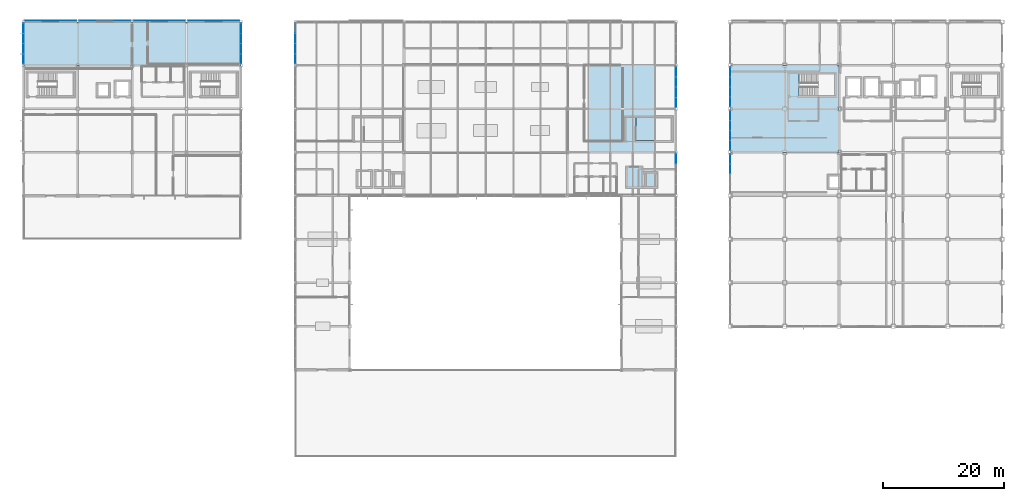
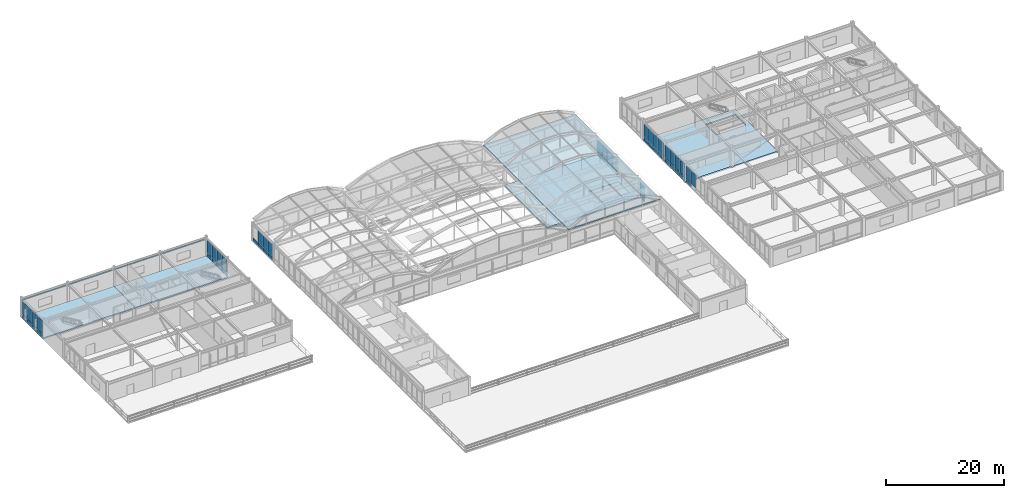
# One storey, part 81 of 106: 56 plates, 5 slabs, 8 elements without a shape of their own.
"""IFC4 building model written with IfcOpenShell, lengths in metres."""

import ifcopenshell
import ifcopenshell.guid

model = None  # the IFC model being written
_history = None  # IfcOwnerHistory: only IFC2X3 demands one
_inside = {}  # id of a spatial element -> (the spatial element, [elements in it])
_under = {}  # id of a project, library or spatial element -> (it, [spatial elements below it])
_declared = {}  # id of a project -> (the project, [libraries it declares])
_typed = {}  # id of a type object -> (the type object, [elements of that type])
_made_of = {}  # id of a material, layer set ... -> (it, [elements and type objects made of it])


def new_model(schema):
    """Start an empty IFC model of exactly this schema.

    Asked for "IFC4X3", IfcOpenShell would pick the latest addendum, in which some entities
    have other attributes; the version numbers below select the first issue.
    IFC2X3 requires an IfcOwnerHistory on every rooted entity: one is made here for all.
    """
    global model, _history
    if schema == "IFC4X3":
        model = ifcopenshell.file(schema_version=(4, 3, 0, 0))
    else:
        model = ifcopenshell.file(schema=schema)
    _inside.clear()
    _under.clear()
    _declared.clear()
    _typed.clear()
    _made_of.clear()
    _history = None
    if model.schema == "IFC2X3":
        org = make("IfcOrganization", Name="unknown")
        user = make(
            "IfcPersonAndOrganization",
            ThePerson=make("IfcPerson", FamilyName="unknown"),
            TheOrganization=org,
        )
        app = make(
            "IfcApplication",
            ApplicationDeveloper=org,
            Version="unknown",
            ApplicationFullName="unknown",
            ApplicationIdentifier="unknown",
        )
        _history = make(
            "IfcOwnerHistory",
            OwningUser=user,
            OwningApplication=app,
            ChangeAction="ADDED",
            CreationDate=0,
        )
    return model


def make(cls, **values):
    """One entity of the class cls with the attributes given. An attribute that is None is left unset."""
    return model.create_entity(
        cls, **{name: value for name, value in values.items() if value is not None}
    )


def rooted(cls, **values):
    """An entity with a GlobalId (a new one), such as an element, a storey or a relation."""
    return make(cls, GlobalId=ifcopenshell.guid.new(), OwnerHistory=_history, **values)


def si_unit(unit_type, name, prefix=None):
    """IfcSIUnit, for example si_unit("LENGTHUNIT", "METRE", prefix="MILLI")."""
    return make("IfcSIUnit", UnitType=unit_type, Prefix=prefix, Name=name)


def assignment(units):
    """IfcUnitAssignment: the units of a project."""
    return None if units is None else make("IfcUnitAssignment", Units=units)


def point(xyz):
    """IfcCartesianPoint."""
    return None if xyz is None else make("IfcCartesianPoint", Coordinates=xyz)


def direction(xyz):
    """IfcDirection."""
    return None if xyz is None else make("IfcDirection", DirectionRatios=xyz)


def frame(location, z_axis=None, x_axis=None):
    """IfcAxis2Placement3D, a coordinate frame: its origin and axes. An axis left out is left unset."""
    return make(
        "IfcAxis2Placement3D",
        Location=point(location),
        Axis=direction(z_axis),
        RefDirection=direction(x_axis),
    )


def frame_2d(location, x_axis=None):
    """IfcAxis2Placement2D, a coordinate frame in the plane: its origin and x axis."""
    return make(
        "IfcAxis2Placement2D", Location=point(location), RefDirection=direction(x_axis)
    )


def origin():
    """The frame at (0, 0, 0) with its axes left unset."""
    return frame((0.0, 0.0, 0.0))


def origin_2d():
    """The frame at (0, 0) in the plane with its x axis left unset."""
    return frame_2d((0.0, 0.0))


def place(relative_to, where):
    """IfcLocalPlacement: puts the frame where relative to a parent placement (None: the world)."""
    return make(
        "IfcLocalPlacement", PlacementRelTo=relative_to, RelativePlacement=where
    )


def context(
    kind, dimensions, precision=None, world=None, true_north=None, identifier=None
):
    """IfcGeometricRepresentationContext, for example the 3D "Model" context."""
    return make(
        "IfcGeometricRepresentationContext",
        ContextIdentifier=identifier,
        ContextType=kind,
        CoordinateSpaceDimension=dimensions,
        Precision=precision,
        WorldCoordinateSystem=world,
        TrueNorth=true_north,
    )


def subcontext(parent, identifier, kind, view, scale=None):
    """IfcGeometricRepresentationSubContext, for example "Body" below "Model"."""
    return make(
        "IfcGeometricRepresentationSubContext",
        ContextIdentifier=identifier,
        ContextType=kind,
        ParentContext=parent,
        TargetScale=scale,
        TargetView=view,
    )


def project(units=None, contexts=None):
    """IfcProject with its units and contexts."""
    return rooted(
        "IfcProject",
        Name="project",
        RepresentationContexts=contexts,
        UnitsInContext=assignment(units),
    )


def spatial(cls, under=None, at=None, **own):
    """A site, building, storey or space (cls), placed at a placement, below another one or the project."""
    s = rooted(cls, ObjectPlacement=at, **own)
    if under is not None:
        _under.setdefault(under.id(), (under, []))[1].append(s)
    return s


def polyline(points):
    """IfcPolyline through the points."""
    return make("IfcPolyline", Points=[point(p) for p in points])


def profile(cls, at=None, kind="AREA", **sizes):
    """A parametric profile (cls). Its sizes go by their IFC names, for example OverallWidth=200.0."""
    return make(cls, ProfileType=kind, Position=at, **sizes)


def rectangle(**sizes):
    """IfcRectangleProfileDef."""
    return profile("IfcRectangleProfileDef", **sizes)


def outline(outer, holes=None, kind="AREA"):
    """IfcArbitraryClosedProfileDef: a profile drawn as a closed curve; with holes, ...WithVoids."""
    if holes is None:
        return make("IfcArbitraryClosedProfileDef", ProfileType=kind, OuterCurve=outer)
    return make(
        "IfcArbitraryProfileDefWithVoids",
        ProfileType=kind,
        OuterCurve=outer,
        InnerCurves=holes,
    )


def extrude(swept, where, along, depth):
    """IfcExtrudedAreaSolid: the profile swept, set in the frame where, extruded along a direction by depth."""
    return make(
        "IfcExtrudedAreaSolid",
        SweptArea=swept,
        Position=where,
        ExtrudedDirection=direction(along),
        Depth=depth,
    )


def shape(context_of_items, identifier, shape_type, items):
    """IfcShapeRepresentation: the items that make up one representation, for example the "Body"."""
    return make(
        "IfcShapeRepresentation",
        ContextOfItems=context_of_items,
        RepresentationIdentifier=identifier,
        RepresentationType=shape_type,
        Items=items,
    )


def material(Name=None, Category=None):
    """IfcMaterial."""
    return make("IfcMaterial", Name=Name, Category=Category)


def layer(
    of_material, thickness, ventilated=None, Name=None, Category=None, Priority=None
):
    """IfcMaterialLayer: one layer of a wall or slab, of a material (None: an air gap)."""
    return make(
        "IfcMaterialLayer",
        Material=of_material,
        LayerThickness=thickness,
        IsVentilated=ventilated,
        Name=Name,
        Category=Category,
        Priority=Priority,
    )


def layer_set(layers, Name=None):
    """IfcMaterialLayerSet."""
    return make("IfcMaterialLayerSet", MaterialLayers=layers, LayerSetName=Name)


def made_of(thing, what):
    """Note that an element or type object is made of a material, layer set ...; save() writes the relation."""
    if what is not None:
        _made_of.setdefault(what.id(), (what, []))[1].append(thing)
    return thing


def type_object(cls, material=None, **own):
    """A type object (cls), such as IfcWallType, which elements share."""
    return made_of(rooted(cls, **own), material)


def element(
    cls,
    number,
    at=None,
    inside=None,
    cuts=None,
    type_object=None,
    material=None,
    context=None,
    identifier="Body",
    shape_type=None,
    held_by="IfcProductDefinitionShape",
    body=None,
    shapes=None,
    **own,
):
    """One element of the class cls, such as IfcWall. Its Tag is "e" and its number.

    at: its placement. inside: the storey or other place that contains it. cuts: it is an
    opening in that element (IfcRelVoidsElement). A single representation is given by context,
    identifier, shape_type and body (its items); several are given by shapes. held_by: the class
    of the entity that holds the representations. save() writes the other relations.
    """
    e = rooted(cls, Tag="e%d" % number, ObjectPlacement=at, **own)
    if body is not None:
        shapes = [shape(context, identifier, shape_type, body)]
    if shapes is not None:
        e.Representation = make(held_by, Representations=shapes)
    if inside is not None:
        _inside.setdefault(inside.id(), (inside, []))[1].append(e)
    if cuts is not None:
        rooted(
            "IfcRelVoidsElement", RelatingBuildingElement=cuts, RelatedOpeningElement=e
        )
    if type_object is not None:
        _typed.setdefault(type_object.id(), (type_object, []))[1].append(e)
    return made_of(e, material)


def aggregate(whole, parts):
    """IfcRelAggregates: a whole, such as a stair, and the parts it consists of."""
    return rooted("IfcRelAggregates", RelatingObject=whole, RelatedObjects=parts)


def save(model, path):
    """Write the relations noted so far, then the file.

    IfcRelAggregates (storeys below a building ...), IfcRelContainedInSpatialStructure (elements
    in a storey), IfcRelDefinesByType, IfcRelAssociatesMaterial and IfcRelDeclares: one each for
    every whole, place, type object, material and project.
    """
    for whole, parts in _under.values():
        aggregate(whole, parts)
    for where, things in _inside.values():
        rooted(
            "IfcRelContainedInSpatialStructure",
            RelatedElements=things,
            RelatingStructure=where,
        )
    for kind, things in _typed.values():
        rooted("IfcRelDefinesByType", RelatedObjects=things, RelatingType=kind)
    for what, things in _made_of.values():
        rooted("IfcRelAssociatesMaterial", RelatedObjects=things, RelatingMaterial=what)
    for by, libraries in _declared.values():
        rooted("IfcRelDeclares", RelatingContext=by, RelatedDefinitions=libraries)
    model.write(path)


model = new_model("IFC4")

# Units and contexts
model_context = context("Model", 3, precision=1e-05, world=origin(), true_north=direction((0.0, 1.0)))
body_context = subcontext(model_context, "Body", "Model", "MODEL_VIEW")
ifc_project = project(units=[si_unit("LENGTHUNIT", "METRE"), si_unit("AREAUNIT", "SQUARE_METRE"), si_unit("VOLUMEUNIT", "CUBIC_METRE"), si_unit("PLANEANGLEUNIT", "RADIAN"), si_unit("MASSUNIT", "GRAM", prefix="KILO")], contexts=[model_context])

# Site, building, storey
site_placement = place(None, origin())
site = spatial("IfcSite", under=ifc_project, at=site_placement, CompositionType="ELEMENT")
building_placement = place(site_placement, origin())
building = spatial("IfcBuilding", under=site, at=building_placement, Name="Kazanami Central Library", CompositionType="ELEMENT")
storey_placement = place(building_placement, frame((0.0, 0.0, 12.800048828125)))
storey = spatial("IfcBuildingStorey", under=building, at=storey_placement, Name="L04", CompositionType="ELEMENT", Elevation=12.800048828125)

# Curtain wall, plates
ifc_material_1 = material(Name="Acid-Etched Low-E Laminated Glass", Category="glass")
curtain_wall_type_1 = type_object("IfcCurtainWallType", Name="CW-6800x3490-M180", PredefinedType="USERDEFINED", material=ifc_material_1)
curtain_wall_1_placement = place(storey_placement, origin())
curtain_wall_1 = element("IfcCurtainWall", 1, at=curtain_wall_1_placement, inside=storey, type_object=curtain_wall_type_1, Name="Unitised Curtain Wall CW-43 L04 W-1-12", ObjectType="UNITISED CURTAIN WALL", PredefinedType="USERDEFINED")
ifc_layer_1 = layer(ifc_material_1, 0.035888671875, Name="Acid-Etched Low-E Laminated Glass")
ifc_layer_set_1 = layer_set([ifc_layer_1], Name="Acid-Etched Low-E Laminated Glass")
plate_type_1 = type_object("IfcPlateType", Name="PLT-CW-P1", PredefinedType="CURTAIN_PANEL", material=ifc_layer_set_1)
plate_1_placement = place(storey_placement, frame((0.0, 87.465087890625, 0.809814453125), z_axis=(0.0, 0.0, 1.0), x_axis=(0.0, 1.0, 0.0)))
plate_1 = element("IfcPlate", 2, at=plate_1_placement, type_object=plate_type_1, Name="CW-43 panel 1.2", PredefinedType="CURTAIN_PANEL", context=body_context, shape_type="SweptSolid", body=[
    extrude(rectangle(XDim=1.610107421875, YDim=0.035888671875, at=origin_2d()), origin(), (0.0, 0.0, 1.0), 2.6201171875),
])
plate_2_placement = place(storey_placement, frame((0.0, 89.14990234375, 0.809814453125), z_axis=(0.0, 0.0, 1.0), x_axis=(0.0, 1.0, 0.0)))
plate_2 = element("IfcPlate", 3, at=plate_2_placement, type_object=plate_type_1, Name="CW-43 panel 2.2", PredefinedType="CURTAIN_PANEL", context=body_context, shape_type="SweptSolid", body=[
    extrude(rectangle(XDim=1.639892578125, YDim=0.035888671875, at=origin_2d()), origin(), (0.0, 0.0, 1.0), 2.6201171875),
])
plate_3_placement = place(storey_placement, frame((0.0, 90.85009765625, 0.809814453125), z_axis=(0.0, 0.0, 1.0), x_axis=(0.0, 1.0, 0.0)))
plate_3 = element("IfcPlate", 4, at=plate_3_placement, type_object=plate_type_1, Name="CW-43 panel 3.2", PredefinedType="CURTAIN_PANEL", context=body_context, shape_type="SweptSolid", body=[
    extrude(rectangle(XDim=1.639892578125, YDim=0.035888671875, at=origin_2d()), origin(), (0.0, 0.0, 1.0), 2.6201171875),
])
plate_4_placement = place(storey_placement, frame((0.0, 92.534912109375, 0.809814453125), z_axis=(0.0, 0.0, 1.0), x_axis=(0.0, 1.0, 0.0)))
plate_4 = element("IfcPlate", 5, at=plate_4_placement, type_object=plate_type_1, Name="CW-43 panel 4.2", PredefinedType="CURTAIN_PANEL", context=body_context, shape_type="SweptSolid", body=[
    extrude(rectangle(XDim=1.610107421875, YDim=0.035888671875, at=origin_2d()), origin(), (0.0, 0.0, 1.0), 2.6201171875),
])

curtain_wall_2_placement = place(storey_placement, origin())
curtain_wall_2 = element("IfcCurtainWall", 6, at=curtain_wall_2_placement, inside=storey, type_object=curtain_wall_type_1, Name="Covered Link Bridge Curtain Wall CW-43 L04 E-5-12", ObjectType="UNITISED CURTAIN WALL", PredefinedType="USERDEFINED")
ifc_material_2 = material(Name="Low-E Insulated Triple Glass", Category="glass")
ifc_layer_2 = layer(ifc_material_2, 0.0400390625, Name="Low-E Insulated Triple Glass")
ifc_layer_set_2 = layer_set([ifc_layer_2], Name="Low-E Insulated Triple Glass")
plate_type_2 = type_object("IfcPlateType", Name="PLT-CW-P3", PredefinedType="CURTAIN_PANEL", material=ifc_layer_set_2)
plate_5_placement = place(storey_placement, frame((36.0, 92.534912109375, 0.809814453125), z_axis=(0.0, 0.0, 1.0), x_axis=(0.0, -1.0, 0.0)))
plate_5 = element("IfcPlate", 7, at=plate_5_placement, type_object=plate_type_2, Name="CW-43 panel 1.2", PredefinedType="CURTAIN_PANEL", context=body_context, shape_type="SweptSolid", body=[
    extrude(rectangle(XDim=1.610107421875, YDim=0.0400390625, at=origin_2d()), origin(), (0.0, 0.0, 1.0), 2.6201171875),
])
plate_6_placement = place(storey_placement, frame((36.0, 90.85009765625, 0.809814453125), z_axis=(0.0, 0.0, 1.0), x_axis=(0.0, -1.0, 0.0)))
plate_6 = element("IfcPlate", 8, at=plate_6_placement, type_object=plate_type_2, Name="CW-43 panel 2.2", PredefinedType="CURTAIN_PANEL", context=body_context, shape_type="SweptSolid", body=[
    extrude(rectangle(XDim=1.639892578125, YDim=0.0400390625, at=origin_2d()), origin(), (0.0, 0.0, 1.0), 2.6201171875),
])
plate_7_placement = place(storey_placement, frame((36.0, 89.14990234375, 0.809814453125), z_axis=(0.0, 0.0, 1.0), x_axis=(0.0, -1.0, 0.0)))
plate_7 = element("IfcPlate", 9, at=plate_7_placement, type_object=plate_type_2, Name="CW-43 panel 3.2", PredefinedType="CURTAIN_PANEL", context=body_context, shape_type="SweptSolid", body=[
    extrude(rectangle(XDim=1.639892578125, YDim=0.0400390625, at=origin_2d()), origin(), (0.0, 0.0, 1.0), 2.6201171875),
])
plate_8_placement = place(storey_placement, frame((36.0, 87.465087890625, 0.809814453125), z_axis=(0.0, 0.0, 1.0), x_axis=(0.0, -1.0, 0.0)))
plate_8 = element("IfcPlate", 10, at=plate_8_placement, type_object=plate_type_2, Name="CW-43 panel 4.2", PredefinedType="CURTAIN_PANEL", context=body_context, shape_type="SweptSolid", body=[
    extrude(rectangle(XDim=1.610107421875, YDim=0.0400390625, at=origin_2d()), origin(), (0.0, 0.0, 1.0), 2.6201171875),
])

curtain_wall_type_2 = type_object("IfcCurtainWallType", Name="CW-6800x3330-M180", PredefinedType="USERDEFINED", material=ifc_material_1)
curtain_wall_3_placement = place(storey_placement, origin())
curtain_wall_3 = element("IfcCurtainWall", 11, at=curtain_wall_3_placement, inside=storey, type_object=curtain_wall_type_2, Name="Covered Link Bridge Curtain Wall CW-44 L04 W-6-12", ObjectType="UNITISED CURTAIN WALL", PredefinedType="USERDEFINED")
plate_9_placement = place(storey_placement, frame((45.0, 87.467529296875, 0.81494140625), z_axis=(0.0, 0.0, 1.0), x_axis=(0.0, 1.0, 0.0)))
plate_9 = element("IfcPlate", 12, at=plate_9_placement, type_object=plate_type_2, Name="CW-44 panel 1.2", PredefinedType="CURTAIN_PANEL", context=body_context, shape_type="SweptSolid", body=[
    extrude(rectangle(XDim=1.594970703125, YDim=0.0400390625, at=origin_2d()), origin(), (0.0, 0.0, 1.0), 2.445068359375),
])
plate_10_placement = place(storey_placement, frame((45.0, 89.14990234375, 0.81494140625), z_axis=(0.0, 0.0, 1.0), x_axis=(0.0, 1.0, 0.0)))
plate_10 = element("IfcPlate", 13, at=plate_10_placement, type_object=plate_type_2, Name="CW-44 panel 2.2", PredefinedType="CURTAIN_PANEL", context=body_context, shape_type="SweptSolid", body=[
    extrude(rectangle(XDim=1.6298828125, YDim=0.0400390625, at=origin_2d()), origin(), (0.0, 0.0, 1.0), 2.445068359375),
])
plate_11_placement = place(storey_placement, frame((45.0, 90.85009765625, 0.81494140625), z_axis=(0.0, 0.0, 1.0), x_axis=(0.0, 1.0, 0.0)))
plate_11 = element("IfcPlate", 14, at=plate_11_placement, type_object=plate_type_2, Name="CW-44 panel 3.2", PredefinedType="CURTAIN_PANEL", context=body_context, shape_type="SweptSolid", body=[
    extrude(rectangle(XDim=1.6298828125, YDim=0.0400390625, at=origin_2d()), origin(), (0.0, 0.0, 1.0), 2.445068359375),
])

# Curtain wall, plate
curtain_wall_4_placement = place(storey_placement, origin())
curtain_wall_4 = element("IfcCurtainWall", 15, at=curtain_wall_4_placement, inside=storey, type_object=curtain_wall_type_2, Name="Covered Link Bridge Curtain Wall CW-44 L04 E-13-09", ObjectType="UNITISED CURTAIN WALL", PredefinedType="USERDEFINED")
plate_12_placement = place(storey_placement, frame((108.0, 70.9326171875, 0.81494140625), z_axis=(0.0, 0.0, 1.0), x_axis=(0.0, -1.0, 0.0)))
plate_12 = element("IfcPlate", 16, at=plate_12_placement, type_object=plate_type_2, Name="CW-44 panel 1.2", PredefinedType="CURTAIN_PANEL", context=body_context, shape_type="SweptSolid", body=[
    extrude(rectangle(XDim=1.594970703125, YDim=0.0400390625, at=origin_2d()), origin(), (0.0, 0.0, 1.0), 2.445068359375),
])

# Curtain wall, plates
curtain_wall_5_placement = place(storey_placement, origin())
curtain_wall_5 = element("IfcCurtainWall", 17, at=curtain_wall_5_placement, inside=storey, type_object=curtain_wall_type_2, Name="Covered Link Bridge Curtain Wall CW-44 L04 E-13-11", ObjectType="UNITISED CURTAIN WALL", PredefinedType="USERDEFINED")
plate_13_placement = place(storey_placement, frame((108.0, 85.33251953125, 0.81494140625), z_axis=(0.0, 0.0, 1.0), x_axis=(0.0, -1.0, 0.0)))
plate_13 = element("IfcPlate", 18, at=plate_13_placement, type_object=plate_type_2, Name="CW-44 panel 1.2", PredefinedType="CURTAIN_PANEL", context=body_context, shape_type="SweptSolid", body=[
    extrude(rectangle(XDim=1.594970703125, YDim=0.0400390625, at=origin_2d()), origin(), (0.0, 0.0, 1.0), 2.445068359375),
])
plate_14_placement = place(storey_placement, frame((108.0, 83.64990234375, 0.81494140625), z_axis=(0.0, 0.0, 1.0), x_axis=(0.0, -1.0, 0.0)))
plate_14 = element("IfcPlate", 19, at=plate_14_placement, type_object=plate_type_2, Name="CW-44 panel 2.2", PredefinedType="CURTAIN_PANEL", context=body_context, shape_type="SweptSolid", body=[
    extrude(rectangle(XDim=1.6298828125, YDim=0.0400390625, at=origin_2d()), origin(), (0.0, 0.0, 1.0), 2.445068359375),
])
plate_15_placement = place(storey_placement, frame((108.0, 81.949951171875, 0.81494140625), z_axis=(0.0, 0.0, 1.0), x_axis=(0.0, -1.0, 0.0)))
plate_15 = element("IfcPlate", 20, at=plate_15_placement, type_object=plate_type_2, Name="CW-44 panel 3.2", PredefinedType="CURTAIN_PANEL", context=body_context, shape_type="SweptSolid", body=[
    extrude(rectangle(XDim=1.6298828125, YDim=0.0400390625, at=origin_2d()), origin(), (0.0, 0.0, 1.0), 2.445068359375),
])
plate_16_placement = place(storey_placement, frame((108.0, 80.267578125, 0.81494140625), z_axis=(0.0, 0.0, 1.0), x_axis=(0.0, -1.0, 0.0)))
plate_16 = element("IfcPlate", 21, at=plate_16_placement, type_object=plate_type_2, Name="CW-44 panel 4.2", PredefinedType="CURTAIN_PANEL", context=body_context, shape_type="SweptSolid", body=[
    extrude(rectangle(XDim=1.594970703125, YDim=0.0400390625, at=origin_2d()), origin(), (0.0, 0.0, 1.0), 2.445068359375),
])

curtain_wall_type_3 = type_object("IfcCurtainWallType", Name="CW-6600x3490-M180", PredefinedType="USERDEFINED", material=ifc_material_1)
curtain_wall_6_placement = place(storey_placement, origin())
curtain_wall_6 = element("IfcCurtainWall", 22, at=curtain_wall_6_placement, inside=storey, type_object=curtain_wall_type_3, Name="Covered Link Bridge Curtain Wall CW-48 L04 W-14-09", ObjectType="UNITISED CURTAIN WALL", PredefinedType="USERDEFINED")
plate_17_placement = place(storey_placement, frame((117.0, 69.22509765625, 0.809814453125), z_axis=(0.0, 0.0, 1.0), x_axis=(0.0, 1.0, 0.0)))
plate_17 = element("IfcPlate", 23, at=plate_17_placement, type_object=plate_type_2, Name="CW-48 panel 3.2", PredefinedType="CURTAIN_PANEL", context=body_context, shape_type="SweptSolid", body=[
    extrude(rectangle(XDim=1.590087890625, YDim=0.0400390625, at=origin_2d()), origin(), (0.0, 0.0, 1.0), 2.6201171875),
])
plate_18_placement = place(storey_placement, frame((117.0, 70.860107421875, 0.809814453125), z_axis=(0.0, 0.0, 1.0), x_axis=(0.0, 1.0, 0.0)))
plate_18 = element("IfcPlate", 24, at=plate_18_placement, type_object=plate_type_2, Name="CW-48 panel 4.2", PredefinedType="CURTAIN_PANEL", context=body_context, shape_type="SweptSolid", body=[
    extrude(rectangle(XDim=1.56005859375, YDim=0.0400390625, at=origin_2d()), origin(), (0.0, 0.0, 1.0), 2.6201171875),
])

curtain_wall_7_placement = place(storey_placement, origin())
curtain_wall_7 = element("IfcCurtainWall", 25, at=curtain_wall_7_placement, inside=storey, type_object=curtain_wall_type_3, Name="Covered Link Bridge Curtain Wall CW-48 L04 W-14-10", ObjectType="UNITISED CURTAIN WALL", PredefinedType="USERDEFINED")
plate_19_placement = place(storey_placement, frame((117.0, 73.139892578125, 0.809814453125), z_axis=(0.0, 0.0, 1.0), x_axis=(0.0, 1.0, 0.0)))
plate_19 = element("IfcPlate", 26, at=plate_19_placement, type_object=plate_type_2, Name="CW-48 panel 1.2", PredefinedType="CURTAIN_PANEL", context=body_context, shape_type="SweptSolid", body=[
    extrude(rectangle(XDim=1.56005859375, YDim=0.0400390625, at=origin_2d()), origin(), (0.0, 0.0, 1.0), 2.6201171875),
])
plate_20_placement = place(storey_placement, frame((117.0, 74.77490234375, 0.809814453125), z_axis=(0.0, 0.0, 1.0), x_axis=(0.0, 1.0, 0.0)))
plate_20 = element("IfcPlate", 27, at=plate_20_placement, type_object=plate_type_2, Name="CW-48 panel 2.2", PredefinedType="CURTAIN_PANEL", context=body_context, shape_type="SweptSolid", body=[
    extrude(rectangle(XDim=1.590087890625, YDim=0.0400390625, at=origin_2d()), origin(), (0.0, 0.0, 1.0), 2.6201171875),
])
plate_21_placement = place(storey_placement, frame((117.0, 76.425048828125, 0.809814453125), z_axis=(0.0, 0.0, 1.0), x_axis=(0.0, 1.0, 0.0)))
plate_21 = element("IfcPlate", 28, at=plate_21_placement, type_object=plate_type_2, Name="CW-48 panel 3.2", PredefinedType="CURTAIN_PANEL", context=body_context, shape_type="SweptSolid", body=[
    extrude(rectangle(XDim=1.590087890625, YDim=0.0400390625, at=origin_2d()), origin(), (0.0, 0.0, 1.0), 2.6201171875),
])
plate_22_placement = place(storey_placement, frame((117.0, 78.06005859375, 0.809814453125), z_axis=(0.0, 0.0, 1.0), x_axis=(0.0, 1.0, 0.0)))
plate_22 = element("IfcPlate", 29, at=plate_22_placement, type_object=plate_type_2, Name="CW-48 panel 4.2", PredefinedType="CURTAIN_PANEL", context=body_context, shape_type="SweptSolid", body=[
    extrude(rectangle(XDim=1.56005859375, YDim=0.0400390625, at=origin_2d()), origin(), (0.0, 0.0, 1.0), 2.6201171875),
])

curtain_wall_8_placement = place(storey_placement, origin())
curtain_wall_8 = element("IfcCurtainWall", 30, at=curtain_wall_8_placement, inside=storey, type_object=curtain_wall_type_3, Name="Covered Link Bridge Curtain Wall CW-48 L04 W-14-11", ObjectType="UNITISED CURTAIN WALL", PredefinedType="USERDEFINED")
plate_23_placement = place(storey_placement, frame((117.0, 80.340087890625, 0.809814453125), z_axis=(0.0, 0.0, 1.0), x_axis=(0.0, 1.0, 0.0)))
plate_23 = element("IfcPlate", 31, at=plate_23_placement, type_object=plate_type_2, Name="CW-48 panel 1.2", PredefinedType="CURTAIN_PANEL", context=body_context, shape_type="SweptSolid", body=[
    extrude(rectangle(XDim=1.56005859375, YDim=0.0400390625, at=origin_2d()), origin(), (0.0, 0.0, 1.0), 2.6201171875),
])
plate_24_placement = place(storey_placement, frame((117.0, 81.97509765625, 0.809814453125), z_axis=(0.0, 0.0, 1.0), x_axis=(0.0, 1.0, 0.0)))
plate_24 = element("IfcPlate", 32, at=plate_24_placement, type_object=plate_type_2, Name="CW-48 panel 2.2", PredefinedType="CURTAIN_PANEL", context=body_context, shape_type="SweptSolid", body=[
    extrude(rectangle(XDim=1.590087890625, YDim=0.0400390625, at=origin_2d()), origin(), (0.0, 0.0, 1.0), 2.6201171875),
])
plate_25_placement = place(storey_placement, frame((117.0, 83.625, 0.809814453125), z_axis=(0.0, 0.0, 1.0), x_axis=(0.0, 1.0, 0.0)))
plate_25 = element("IfcPlate", 33, at=plate_25_placement, type_object=plate_type_2, Name="CW-48 panel 3.2", PredefinedType="CURTAIN_PANEL", context=body_context, shape_type="SweptSolid", body=[
    extrude(rectangle(XDim=1.590087890625, YDim=0.0400390625, at=origin_2d()), origin(), (0.0, 0.0, 1.0), 2.6201171875),
])
plate_26_placement = place(storey_placement, frame((117.0, 85.260009765625, 0.809814453125), z_axis=(0.0, 0.0, 1.0), x_axis=(0.0, 1.0, 0.0)))
plate_26 = element("IfcPlate", 34, at=plate_26_placement, type_object=plate_type_2, Name="CW-48 panel 4.2", PredefinedType="CURTAIN_PANEL", context=body_context, shape_type="SweptSolid", body=[
    extrude(rectangle(XDim=1.56005859375, YDim=0.0400390625, at=origin_2d()), origin(), (0.0, 0.0, 1.0), 2.6201171875),
])

# Plate
ifc_material_3 = material(Name="Anodised Aluminium A5052-H32", Category="aluminium")
ifc_layer_3 = layer(ifc_material_3, 0.06005859375, Name="Anodised Aluminium A5052-H32")
ifc_layer_set_3 = layer_set([ifc_layer_3], Name="Anodised Aluminium A5052-H32")
plate_type_3 = type_object("IfcPlateType", Name="PLT-CW-SP1", PredefinedType="CURTAIN_PANEL", material=ifc_layer_set_3)
plate_27_placement = place(storey_placement, frame((45.0, 87.467529296875, 0.06982421875), z_axis=(0.0, 0.0, 1.0), x_axis=(0.0, 1.0, 0.0)))
plate_27 = element("IfcPlate", 35, at=plate_27_placement, type_object=plate_type_3, Name="CW-44 panel 1.1", PredefinedType="CURTAIN_PANEL", context=body_context, shape_type="SweptSolid", body=[
    extrude(rectangle(XDim=1.594970703125, YDim=0.06005859375, at=origin_2d()), origin(), (0.0, 0.0, 1.0), 0.675048828125),
])

plate_28_placement = place(storey_placement, frame((45.0, 89.14990234375, 0.06982421875), z_axis=(0.0, 0.0, 1.0), x_axis=(0.0, 1.0, 0.0)))
plate_28 = element("IfcPlate", 36, at=plate_28_placement, type_object=plate_type_3, Name="CW-44 panel 2.1", PredefinedType="CURTAIN_PANEL", context=body_context, shape_type="SweptSolid", body=[
    extrude(rectangle(XDim=1.6298828125, YDim=0.06005859375, at=origin_2d()), origin(), (0.0, 0.0, 1.0), 0.675048828125),
])

plate_29_placement = place(storey_placement, frame((45.0, 90.85009765625, 0.06982421875), z_axis=(0.0, 0.0, 1.0), x_axis=(0.0, 1.0, 0.0)))
plate_29 = element("IfcPlate", 37, at=plate_29_placement, type_object=plate_type_3, Name="CW-44 panel 3.1", PredefinedType="CURTAIN_PANEL", context=body_context, shape_type="SweptSolid", body=[
    extrude(rectangle(XDim=1.6298828125, YDim=0.06005859375, at=origin_2d()), origin(), (0.0, 0.0, 1.0), 0.675048828125),
])

plate_30_placement = place(storey_placement, frame((45.0, 92.532470703125, 0.06982421875), z_axis=(0.0, 0.0, 1.0), x_axis=(0.0, 1.0, 0.0)))
plate_30 = element("IfcPlate", 38, at=plate_30_placement, type_object=plate_type_3, Name="CW-44 panel 4.1", PredefinedType="CURTAIN_PANEL", context=body_context, shape_type="SweptSolid", body=[
    extrude(rectangle(XDim=1.594970703125, YDim=0.06005859375, at=origin_2d()), origin(), (0.0, 0.0, 1.0), 0.675048828125),
])

aggregate(curtain_wall_3, [plate_27, plate_9, plate_28, plate_10, plate_29, plate_11, plate_30])

plate_31_placement = place(storey_placement, frame((108.0, 70.9326171875, 0.06982421875), z_axis=(0.0, 0.0, 1.0), x_axis=(0.0, -1.0, 0.0)))
plate_31 = element("IfcPlate", 39, at=plate_31_placement, type_object=plate_type_3, Name="CW-44 panel 1.1", PredefinedType="CURTAIN_PANEL", context=body_context, shape_type="SweptSolid", body=[
    extrude(rectangle(XDim=1.594970703125, YDim=0.06005859375, at=origin_2d()), origin(), (0.0, 0.0, 1.0), 0.675048828125),
])

aggregate(curtain_wall_4, [plate_31, plate_12])

plate_32_placement = place(storey_placement, frame((108.0, 85.33251953125, 0.06982421875), z_axis=(0.0, 0.0, 1.0), x_axis=(0.0, -1.0, 0.0)))
plate_32 = element("IfcPlate", 40, at=plate_32_placement, type_object=plate_type_3, Name="CW-44 panel 1.1", PredefinedType="CURTAIN_PANEL", context=body_context, shape_type="SweptSolid", body=[
    extrude(rectangle(XDim=1.594970703125, YDim=0.06005859375, at=origin_2d()), origin(), (0.0, 0.0, 1.0), 0.675048828125),
])

plate_33_placement = place(storey_placement, frame((108.0, 83.64990234375, 0.06982421875), z_axis=(0.0, 0.0, 1.0), x_axis=(0.0, -1.0, 0.0)))
plate_33 = element("IfcPlate", 41, at=plate_33_placement, type_object=plate_type_3, Name="CW-44 panel 2.1", PredefinedType="CURTAIN_PANEL", context=body_context, shape_type="SweptSolid", body=[
    extrude(rectangle(XDim=1.6298828125, YDim=0.06005859375, at=origin_2d()), origin(), (0.0, 0.0, 1.0), 0.675048828125),
])

plate_34_placement = place(storey_placement, frame((108.0, 81.949951171875, 0.06982421875), z_axis=(0.0, 0.0, 1.0), x_axis=(0.0, -1.0, 0.0)))
plate_34 = element("IfcPlate", 42, at=plate_34_placement, type_object=plate_type_3, Name="CW-44 panel 3.1", PredefinedType="CURTAIN_PANEL", context=body_context, shape_type="SweptSolid", body=[
    extrude(rectangle(XDim=1.6298828125, YDim=0.06005859375, at=origin_2d()), origin(), (0.0, 0.0, 1.0), 0.675048828125),
])

plate_35_placement = place(storey_placement, frame((108.0, 80.267578125, 0.06982421875), z_axis=(0.0, 0.0, 1.0), x_axis=(0.0, -1.0, 0.0)))
plate_35 = element("IfcPlate", 43, at=plate_35_placement, type_object=plate_type_3, Name="CW-44 panel 4.1", PredefinedType="CURTAIN_PANEL", context=body_context, shape_type="SweptSolid", body=[
    extrude(rectangle(XDim=1.594970703125, YDim=0.06005859375, at=origin_2d()), origin(), (0.0, 0.0, 1.0), 0.675048828125),
])

aggregate(curtain_wall_5, [plate_32, plate_13, plate_33, plate_14, plate_34, plate_15, plate_35, plate_16])

ifc_layer_4 = layer(ifc_material_3, 0.052001953125, Name="Anodised Aluminium A5052-H32")
ifc_layer_set_4 = layer_set([ifc_layer_4], Name="Anodised Aluminium A5052-H32")
plate_type_4 = type_object("IfcPlateType", Name="PLT-CW-SP2", PredefinedType="CURTAIN_PANEL", material=ifc_layer_set_4)
plate_36_placement = place(storey_placement, frame((36.0, 92.534912109375, 0.06005859375), z_axis=(0.0, 0.0, 1.0), x_axis=(0.0, -1.0, 0.0)))
plate_36 = element("IfcPlate", 44, at=plate_36_placement, type_object=plate_type_4, Name="CW-43 panel 1.1", PredefinedType="CURTAIN_PANEL", context=body_context, shape_type="SweptSolid", body=[
    extrude(rectangle(XDim=1.610107421875, YDim=0.052001953125, at=origin_2d()), origin(), (0.0, 0.0, 1.0), 0.68994140625),
])

plate_37_placement = place(storey_placement, frame((36.0, 90.85009765625, 0.06005859375), z_axis=(0.0, 0.0, 1.0), x_axis=(0.0, -1.0, 0.0)))
plate_37 = element("IfcPlate", 45, at=plate_37_placement, type_object=plate_type_4, Name="CW-43 panel 2.1", PredefinedType="CURTAIN_PANEL", context=body_context, shape_type="SweptSolid", body=[
    extrude(rectangle(XDim=1.639892578125, YDim=0.052001953125, at=origin_2d()), origin(), (0.0, 0.0, 1.0), 0.68994140625),
])

plate_38_placement = place(storey_placement, frame((36.0, 89.14990234375, 0.06005859375), z_axis=(0.0, 0.0, 1.0), x_axis=(0.0, -1.0, 0.0)))
plate_38 = element("IfcPlate", 46, at=plate_38_placement, type_object=plate_type_4, Name="CW-43 panel 3.1", PredefinedType="CURTAIN_PANEL", context=body_context, shape_type="SweptSolid", body=[
    extrude(rectangle(XDim=1.639892578125, YDim=0.052001953125, at=origin_2d()), origin(), (0.0, 0.0, 1.0), 0.68994140625),
])

plate_39_placement = place(storey_placement, frame((36.0, 87.465087890625, 0.06005859375), z_axis=(0.0, 0.0, 1.0), x_axis=(0.0, -1.0, 0.0)))
plate_39 = element("IfcPlate", 47, at=plate_39_placement, type_object=plate_type_4, Name="CW-43 panel 4.1", PredefinedType="CURTAIN_PANEL", context=body_context, shape_type="SweptSolid", body=[
    extrude(rectangle(XDim=1.610107421875, YDim=0.052001953125, at=origin_2d()), origin(), (0.0, 0.0, 1.0), 0.68994140625),
])

aggregate(curtain_wall_2, [plate_36, plate_5, plate_37, plate_6, plate_38, plate_7, plate_39, plate_8])

plate_40_placement = place(storey_placement, frame((117.0, 70.860107421875, 0.06005859375), z_axis=(0.0, 0.0, 1.0), x_axis=(0.0, 1.0, 0.0)))
plate_40 = element("IfcPlate", 48, at=plate_40_placement, type_object=plate_type_4, Name="CW-48 panel 4.1", PredefinedType="CURTAIN_PANEL", context=body_context, shape_type="SweptSolid", body=[
    extrude(rectangle(XDim=1.56005859375, YDim=0.052001953125, at=origin_2d()), origin(), (0.0, 0.0, 1.0), 0.68994140625),
])

aggregate(curtain_wall_6, [plate_17, plate_40, plate_18])

plate_41_placement = place(storey_placement, frame((117.0, 73.139892578125, 0.06005859375), z_axis=(0.0, 0.0, 1.0), x_axis=(0.0, 1.0, 0.0)))
plate_41 = element("IfcPlate", 49, at=plate_41_placement, type_object=plate_type_4, Name="CW-48 panel 1.1", PredefinedType="CURTAIN_PANEL", context=body_context, shape_type="SweptSolid", body=[
    extrude(rectangle(XDim=1.56005859375, YDim=0.052001953125, at=origin_2d()), origin(), (0.0, 0.0, 1.0), 0.68994140625),
])

plate_42_placement = place(storey_placement, frame((117.0, 74.77490234375, 0.06005859375), z_axis=(0.0, 0.0, 1.0), x_axis=(0.0, 1.0, 0.0)))
plate_42 = element("IfcPlate", 50, at=plate_42_placement, type_object=plate_type_4, Name="CW-48 panel 2.1", PredefinedType="CURTAIN_PANEL", context=body_context, shape_type="SweptSolid", body=[
    extrude(rectangle(XDim=1.590087890625, YDim=0.052001953125, at=origin_2d()), origin(), (0.0, 0.0, 1.0), 0.68994140625),
])

plate_43_placement = place(storey_placement, frame((117.0, 76.425048828125, 0.06005859375), z_axis=(0.0, 0.0, 1.0), x_axis=(0.0, 1.0, 0.0)))
plate_43 = element("IfcPlate", 51, at=plate_43_placement, type_object=plate_type_4, Name="CW-48 panel 3.1", PredefinedType="CURTAIN_PANEL", context=body_context, shape_type="SweptSolid", body=[
    extrude(rectangle(XDim=1.590087890625, YDim=0.052001953125, at=origin_2d()), origin(), (0.0, 0.0, 1.0), 0.68994140625),
])

plate_44_placement = place(storey_placement, frame((117.0, 78.06005859375, 0.06005859375), z_axis=(0.0, 0.0, 1.0), x_axis=(0.0, 1.0, 0.0)))
plate_44 = element("IfcPlate", 52, at=plate_44_placement, type_object=plate_type_4, Name="CW-48 panel 4.1", PredefinedType="CURTAIN_PANEL", context=body_context, shape_type="SweptSolid", body=[
    extrude(rectangle(XDim=1.56005859375, YDim=0.052001953125, at=origin_2d()), origin(), (0.0, 0.0, 1.0), 0.68994140625),
])

aggregate(curtain_wall_7, [plate_41, plate_19, plate_42, plate_20, plate_43, plate_21, plate_44, plate_22])

plate_45_placement = place(storey_placement, frame((117.0, 80.340087890625, 0.06005859375), z_axis=(0.0, 0.0, 1.0), x_axis=(0.0, 1.0, 0.0)))
plate_45 = element("IfcPlate", 53, at=plate_45_placement, type_object=plate_type_4, Name="CW-48 panel 1.1", PredefinedType="CURTAIN_PANEL", context=body_context, shape_type="SweptSolid", body=[
    extrude(rectangle(XDim=1.56005859375, YDim=0.052001953125, at=origin_2d()), origin(), (0.0, 0.0, 1.0), 0.68994140625),
])

plate_46_placement = place(storey_placement, frame((117.0, 81.97509765625, 0.06005859375), z_axis=(0.0, 0.0, 1.0), x_axis=(0.0, 1.0, 0.0)))
plate_46 = element("IfcPlate", 54, at=plate_46_placement, type_object=plate_type_4, Name="CW-48 panel 2.1", PredefinedType="CURTAIN_PANEL", context=body_context, shape_type="SweptSolid", body=[
    extrude(rectangle(XDim=1.590087890625, YDim=0.052001953125, at=origin_2d()), origin(), (0.0, 0.0, 1.0), 0.68994140625),
])

plate_47_placement = place(storey_placement, frame((117.0, 83.625, 0.06005859375), z_axis=(0.0, 0.0, 1.0), x_axis=(0.0, 1.0, 0.0)))
plate_47 = element("IfcPlate", 55, at=plate_47_placement, type_object=plate_type_4, Name="CW-48 panel 3.1", PredefinedType="CURTAIN_PANEL", context=body_context, shape_type="SweptSolid", body=[
    extrude(rectangle(XDim=1.590087890625, YDim=0.052001953125, at=origin_2d()), origin(), (0.0, 0.0, 1.0), 0.68994140625),
])

plate_48_placement = place(storey_placement, frame((117.0, 85.260009765625, 0.06005859375), z_axis=(0.0, 0.0, 1.0), x_axis=(0.0, 1.0, 0.0)))
plate_48 = element("IfcPlate", 56, at=plate_48_placement, type_object=plate_type_4, Name="CW-48 panel 4.1", PredefinedType="CURTAIN_PANEL", context=body_context, shape_type="SweptSolid", body=[
    extrude(rectangle(XDim=1.56005859375, YDim=0.052001953125, at=origin_2d()), origin(), (0.0, 0.0, 1.0), 0.68994140625),
])

aggregate(curtain_wall_8, [plate_45, plate_23, plate_46, plate_24, plate_47, plate_25, plate_48, plate_26])

ifc_layer_5 = layer(ifc_material_3, 0.048095703125, Name="Anodised Aluminium A5052-H32")
ifc_layer_set_5 = layer_set([ifc_layer_5], Name="Anodised Aluminium A5052-H32")
plate_type_5 = type_object("IfcPlateType", Name="PLT-CW-SP3", PredefinedType="CURTAIN_PANEL", material=ifc_layer_set_5)
plate_49_placement = place(storey_placement, frame((0.0, 87.465087890625, 0.06005859375), z_axis=(0.0, 0.0, 1.0), x_axis=(0.0, 1.0, 0.0)))
plate_49 = element("IfcPlate", 57, at=plate_49_placement, type_object=plate_type_5, Name="CW-43 panel 1.1", PredefinedType="CURTAIN_PANEL", context=body_context, shape_type="SweptSolid", body=[
    extrude(rectangle(XDim=1.610107421875, YDim=0.048095703125, at=origin_2d()), origin(), (0.0, 0.0, 1.0), 0.68994140625),
])

plate_50_placement = place(storey_placement, frame((0.0, 89.14990234375, 0.06005859375), z_axis=(0.0, 0.0, 1.0), x_axis=(0.0, 1.0, 0.0)))
plate_50 = element("IfcPlate", 58, at=plate_50_placement, type_object=plate_type_5, Name="CW-43 panel 2.1", PredefinedType="CURTAIN_PANEL", context=body_context, shape_type="SweptSolid", body=[
    extrude(rectangle(XDim=1.639892578125, YDim=0.048095703125, at=origin_2d()), origin(), (0.0, 0.0, 1.0), 0.68994140625),
])

plate_51_placement = place(storey_placement, frame((0.0, 90.85009765625, 0.06005859375), z_axis=(0.0, 0.0, 1.0), x_axis=(0.0, 1.0, 0.0)))
plate_51 = element("IfcPlate", 59, at=plate_51_placement, type_object=plate_type_5, Name="CW-43 panel 3.1", PredefinedType="CURTAIN_PANEL", context=body_context, shape_type="SweptSolid", body=[
    extrude(rectangle(XDim=1.639892578125, YDim=0.048095703125, at=origin_2d()), origin(), (0.0, 0.0, 1.0), 0.68994140625),
])

plate_52_placement = place(storey_placement, frame((0.0, 92.534912109375, 0.06005859375), z_axis=(0.0, 0.0, 1.0), x_axis=(0.0, 1.0, 0.0)))
plate_52 = element("IfcPlate", 60, at=plate_52_placement, type_object=plate_type_5, Name="CW-43 panel 4.1", PredefinedType="CURTAIN_PANEL", context=body_context, shape_type="SweptSolid", body=[
    extrude(rectangle(XDim=1.610107421875, YDim=0.048095703125, at=origin_2d()), origin(), (0.0, 0.0, 1.0), 0.68994140625),
])

aggregate(curtain_wall_1, [plate_49, plate_1, plate_50, plate_2, plate_51, plate_3, plate_52, plate_4])

# Plates
ifc_layer_6 = layer(ifc_material_3, 0.010009765625, Name="Anodised Aluminium A5052-H32")
ifc_layer_set_6 = layer_set([ifc_layer_6], Name="Anodised Aluminium A5052-H32")
plate_type_6 = type_object("IfcPlateType", Name="PLT-SPN-10", PredefinedType="SHEET", material=ifc_layer_set_6)
plate_53_placement = place(storey_placement, frame((22.5, 93.764892578125, 3.1796875), z_axis=(0.0, 0.0, 1.0), x_axis=(-1.0, 0.0, 0.0)))
element("IfcPlate", 61, at=plate_53_placement, inside=storey, type_object=plate_type_6, Name="Architectural Spandrel Sheet SPN-10 L04 N-O-02", PredefinedType="SHEET", context=body_context, shape_type="SweptSolid", body=[
    extrude(rectangle(XDim=8.5, YDim=0.010009765625, at=origin_2d()), origin(), (0.0, 0.0, 1.0), 0.300048828125),
])
ifc_layer_7 = layer(ifc_material_3, 0.011962890625, Name="Anodised Aluminium A5052-H32")
ifc_layer_set_7 = layer_set([ifc_layer_7], Name="Anodised Aluminium A5052-H32")
plate_type_7 = type_object("IfcPlateType", Name="PLT-SPN-12", PredefinedType="SHEET", material=ifc_layer_set_7)
plate_54_placement = place(storey_placement, frame((31.5, 93.76611328125, 3.1796875), z_axis=(0.0, 0.0, 1.0), x_axis=(-1.0, 0.0, 0.0)))
element("IfcPlate", 62, at=plate_54_placement, inside=storey, type_object=plate_type_7, Name="Architectural Spandrel Sheet SPN-12 L04 N-O-03", PredefinedType="SHEET", context=body_context, shape_type="SweptSolid", body=[
    extrude(rectangle(XDim=8.5, YDim=0.011962890625, at=origin_2d()), origin(), (0.0, 0.0, 1.0), 0.300048828125),
])
ifc_layer_8 = layer(ifc_material_3, 0.01806640625, Name="Anodised Aluminium A5052-H32")
ifc_layer_set_8 = layer_set([ifc_layer_8], Name="Anodised Aluminium A5052-H32")
plate_type_8 = type_object("IfcPlateType", Name="PLT-SPN-18", PredefinedType="SHEET", material=ifc_layer_set_8)
plate_55_placement = place(storey_placement, frame((4.5, 93.76904296875, 3.1796875), z_axis=(0.0, 0.0, 1.0), x_axis=(-1.0, 0.0, 0.0)))
element("IfcPlate", 63, at=plate_55_placement, inside=storey, type_object=plate_type_8, Name="Architectural Spandrel Sheet SPN-18 L04 N-O-00", PredefinedType="SHEET", context=body_context, shape_type="SweptSolid", body=[
    extrude(rectangle(XDim=8.5, YDim=0.01806640625, at=origin_2d()), origin(), (0.0, 0.0, 1.0), 0.300048828125),
])
ifc_layer_9 = layer(ifc_material_3, 0.02001953125, Name="Anodised Aluminium A5052-H32")
ifc_layer_set_9 = layer_set([ifc_layer_9], Name="Anodised Aluminium A5052-H32")
plate_type_9 = type_object("IfcPlateType", Name="PLT-SPN-20", PredefinedType="SHEET", material=ifc_layer_set_9)
plate_56_placement = place(storey_placement, frame((13.5, 93.77001953125, 3.1796875), z_axis=(0.0, 0.0, 1.0), x_axis=(-1.0, 0.0, 0.0)))
element("IfcPlate", 64, at=plate_56_placement, inside=storey, type_object=plate_type_9, Name="Architectural Spandrel Sheet SPN-20 L04 N-O-01", PredefinedType="SHEET", context=body_context, shape_type="SweptSolid", body=[
    extrude(rectangle(XDim=8.5, YDim=0.02001953125, at=origin_2d()), origin(), (0.0, 0.0, 1.0), 0.300048828125),
])

# Slabs
ifc_material_4 = material(Name="Concrete Fc36 (36 MPa)", Category="concrete")
ifc_layer_10 = layer(ifc_material_4, 0.2548828125, Name="Concrete Fc36 (36 MPa)")
ifc_layer_set_10 = layer_set([ifc_layer_10], Name="Concrete Fc36 (36 MPa)")
slab_type_1 = type_object("IfcSlabType", Name="SLB-FLR-255", PredefinedType="FLOOR", material=ifc_layer_set_10)
slab_1_placement = place(storey_placement, frame((0.0, 0.0, -0.255126953125)))
element("IfcSlab", 65, at=slab_1_placement, inside=storey, type_object=slab_type_1, Name="Composite Floor Slab L04 V4-UPPER Zone 3", PredefinedType="FLOOR", context=body_context, shape_type="SweptSolid", body=[
    extrude(outline(polyline([(0.0, 86.39990234375), (18.0, 86.39990234375), (18.0, 93.60009765625), (0.0, 93.60009765625), (0.0, 86.39990234375)])), origin(), (0.0, 0.0, 1.0), 0.255126953125),
])
slab_2_placement = place(storey_placement, frame((0.0, 0.0, -0.255126953125)))
element("IfcSlab", 66, at=slab_2_placement, inside=storey, type_object=slab_type_1, Name="Composite Floor Slab L04 V4-UPPER Zone 6", PredefinedType="FLOOR", context=body_context, shape_type="SweptSolid", body=[
    extrude(outline(polyline([(18.0, 86.39990234375), (36.0, 86.39990234375), (36.0, 93.60009765625), (18.0, 93.60009765625), (18.0, 86.39990234375)])), origin(), (0.0, 0.0, 1.0), 0.255126953125),
])
slab_3_placement = place(storey_placement, frame((0.0, 0.0, -0.255126953125)))
element("IfcSlab", 67, at=slab_3_placement, inside=storey, type_object=slab_type_1, Name="Composite Floor Slab L04 V1-NORTH Zone 17", PredefinedType="FLOOR", context=body_context, shape_type="SweptSolid", body=[
    extrude(outline(polyline([(90.0, 72.0), (108.0, 72.0), (108.0, 86.39990234375), (90.0, 86.39990234375), (90.0, 72.0)]), holes=[polyline([(101.39990234375, 73.949951171875), (107.25, 73.949951171875), (107.25, 77.75), (101.39990234375, 77.75), (101.39990234375, 73.949951171875)])]), origin(), (0.0, 0.0, 1.0), 0.255126953125),
])
slab_4_placement = place(storey_placement, frame((0.0, 0.0, -0.255126953125)))
element("IfcSlab", 68, at=slab_4_placement, inside=storey, type_object=slab_type_1, Name="Composite Floor Slab L04 V2-MAIN Zone 21", PredefinedType="FLOOR", context=body_context, shape_type="SweptSolid", body=[
    extrude(outline(polyline([(117.0, 72.0), (135.0, 72.0), (135.0, 86.39990234375), (117.0, 86.39990234375), (117.0, 72.0)]), holes=[polyline([(128.39990234375, 81.375), (134.22509765625, 81.375), (134.22509765625, 84.925048828125), (128.39990234375, 84.925048828125), (128.39990234375, 81.375)])]), origin(), (0.0, 0.0, 1.0), 0.255126953125),
])
ifc_layer_11 = layer(ifc_material_4, 0.219970703125, Name="Concrete Fc36 (36 MPa)")
ifc_layer_set_11 = layer_set([ifc_layer_11], Name="Concrete Fc36 (36 MPa)")
slab_type_2 = type_object("IfcSlabType", Name="SLB-ROOF-220", PredefinedType="ROOF", material=ifc_layer_set_11)
slab_5_placement = place(storey_placement, frame((0.0, 0.0, 3.780029296875)))
element("IfcSlab", 69, at=slab_5_placement, inside=storey, type_object=slab_type_2, Name="Structural Roof Slab ROOF-L04-V1N-E", PredefinedType="ROOF", context=body_context, shape_type="SweptSolid", body=[
    extrude(outline(polyline([(90.0, 64.800048828125), (108.0, 64.800048828125), (108.0, 93.60009765625), (90.0, 93.60009765625), (90.0, 64.800048828125)])), origin(), (0.0, 0.0, 1.0), 0.219970703125),
])

save(model, "model.ifc")
